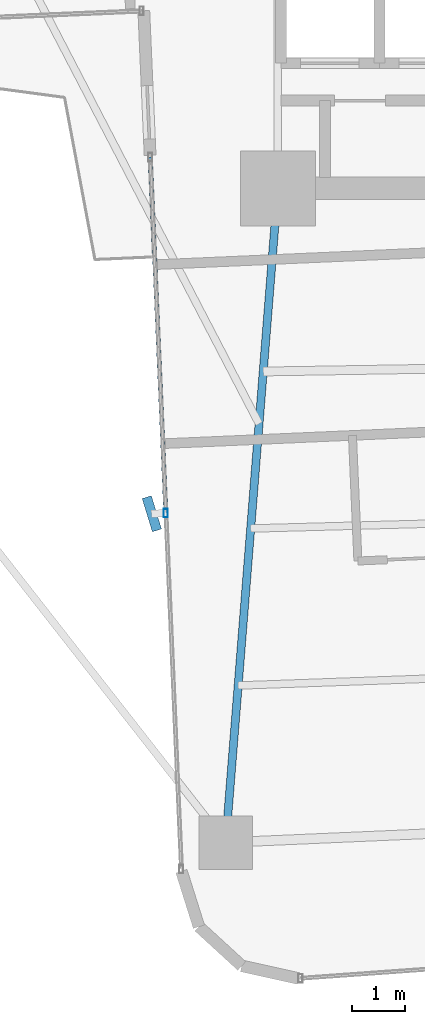
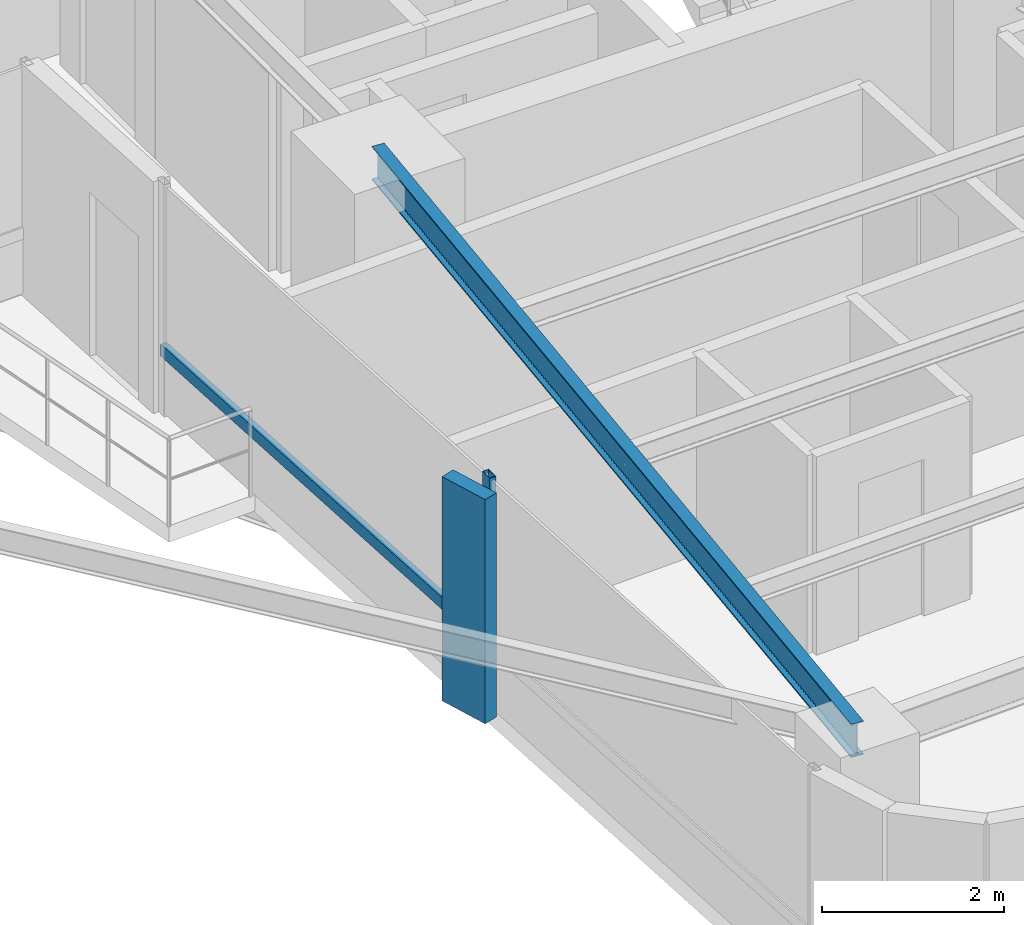
# One storey, part 4 of 26: 3 members, 1 beam, 1 element without a shape of its own.
"""IFC4 building model written with IfcOpenShell, lengths in metres."""

from ifc_helpers import new_model, si_unit, direction, frame, origin, origin_2d, place, context, subcontext, project, spatial, rectangle, hollow_rectangle, i_section, extrude, source, transform, mapped, material, material_profile, profile_set, type_object, element, aggregate, save


model = new_model("IFC4")

# Units and contexts
model_context = context("Model", 3, precision=1e-05, world=origin(), true_north=direction((0.0, 1.0)))
body_context = subcontext(model_context, "Body", "Model", "MODEL_VIEW")
ifc_project = project(units=[si_unit("LENGTHUNIT", "METRE"), si_unit("AREAUNIT", "SQUARE_METRE"), si_unit("VOLUMEUNIT", "CUBIC_METRE"), si_unit("PLANEANGLEUNIT", "RADIAN"), si_unit("MASSUNIT", "GRAM", prefix="KILO")], contexts=[model_context])

# Site, building, storey
site_placement = place(None, origin())
site = spatial("IfcSite", under=ifc_project, at=site_placement, CompositionType="ELEMENT")
building_placement = place(site_placement, origin())
building = spatial("IfcBuilding", under=site, at=building_placement, Name="Sahyath Konkavel Grand Hotel", CompositionType="ELEMENT")
storey_placement = place(building_placement, frame((0.0, 0.0, 124.85009765625)))
storey = spatial("IfcBuildingStorey", under=building, at=storey_placement, Name="L34", CompositionType="ELEMENT", Elevation=124.85009765625)

# Beam
ifc_material_1 = material(Name="Steel E350", Category="steel")
ifc_material_profile_1 = material_profile(ifc_material_1, i_section(OverallWidth=0.14990234375, OverallDepth=0.449951171875, WebThickness=0.009521484375, FlangeThickness=0.017333984375, FilletRadius=0.014892578125, at=origin_2d()), Name="ISMB 450")
ifc_profile_set_1 = profile_set([ifc_material_profile_1], Name="Steel E350")
beam_type = type_object("IfcBeamType", Name="BM-ISMB450", PredefinedType="BEAM", material=ifc_profile_set_1)
shared_shape_1 = source(origin(), body_context, "Body", "SweptSolid", [
    extrude(i_section(OverallWidth=0.14990234375, OverallDepth=0.449951171875, WebThickness=0.009521484375, FlangeThickness=0.017333984375, FilletRadius=0.014892578125, at=origin_2d()), origin(), (0.0, 0.0, 1.0), 12.2685546875),
])
beam_placement = place(storey_placement, frame((-3.800048828125, -10.199951171875, 2.885009765625), z_axis=(-0.079558563357, -0.996830193662, 0.0), x_axis=(0.996830193662, -0.079558563357, 0.0)))
element("IfcBeam", 1, at=beam_placement, inside=storey, type_object=beam_type, Name="L34 Cruciform Radial Girder SA", PredefinedType="BEAM", context=body_context, shape_type="MappedRepresentation", body=[
    mapped(shared_shape_1, transform((0.0, 0.0, 0.0), scale=1.0)),
])

# Curtain wall, members
ifc_material_2 = material(Name="Anodised Bronze Aluminium & Low-E Glazing", Category="aluminium")
curtain_wall_type = type_object("IfcCurtainWallType", Name="CW-ZONE2", PredefinedType="NOTDEFINED", material=ifc_material_2)
curtain_wall_placement = place(storey_placement, origin())
curtain_wall = element("IfcCurtainWall", 2, at=curtain_wall_placement, inside=storey, type_object=curtain_wall_type, Name="L34 Unitised Curtain Wall F24", PredefinedType="NOTDEFINED")
ifc_material_3 = material(Name="Anodised Bronze Aluminium", Category="aluminium")
ifc_material_profile_2 = material_profile(ifc_material_3, hollow_rectangle(XDim=0.080078125, YDim=0.159912109375, WallThickness=0.006103515625, at=origin_2d()), Name="RHS 160x80x6")
ifc_profile_set_2 = profile_set([ifc_material_profile_2], Name="Anodised Bronze Aluminium")
member_type_1 = type_object("IfcMemberType", Name="CW-MUL-160", PredefinedType="MULLION", material=ifc_profile_set_2)
shared_shape_2 = source(origin(), body_context, "Body", "SweptSolid", [
    extrude(hollow_rectangle(XDim=0.080078125, YDim=0.159912109375, WallThickness=0.006103515625, at=origin_2d()), origin(), (0.0, 0.0, 1.0), 3.10986328125),
])
member_1_placement = place(storey_placement, frame((-5.895751953125, -16.272705078125, 0.0), z_axis=(0.0, 0.0, 1.0), x_axis=(1.0, 0.0, 0.0)))
member_1 = element("IfcMember", 3, at=member_1_placement, type_object=member_type_1, Name="L34 Curtain Wall Mullion F24-1", PredefinedType="MULLION", context=body_context, shape_type="MappedRepresentation", body=[
    mapped(shared_shape_2, transform((0.0, 0.0, 0.0), scale=1.0)),
])
ifc_material_4 = material(Name="Warm Buff Sandstone Cladding on Concrete C50/60", Category="masonry")
ifc_material_profile_3 = material_profile(ifc_material_4, rectangle(XDim=0.179931640625, YDim=0.64990234375, at=origin_2d()), Name="FIN 180x650")
ifc_profile_set_3 = profile_set([ifc_material_profile_3], Name="Warm Buff Sandstone Cladding on Concrete C50/60")
member_type_2 = type_object("IfcMemberType", Name="FIN-SANDSTONE-650", PredefinedType="MULLION", material=ifc_profile_set_3)
shared_shape_3 = source(origin(), body_context, "Body", "SweptSolid", [
    extrude(rectangle(XDim=0.179931640625, YDim=0.64990234375, at=origin_2d()), origin(), (0.0, 0.0, 1.0), 3.010009765625),
])
member_2_placement = place(storey_placement, frame((-6.155517578125, -16.283935546875, 0.0498046875), z_axis=(0.0, 0.0, 1.0), x_axis=(0.956151539415, 0.292872384621, 0.0)))
member_2 = element("IfcMember", 4, at=member_2_placement, type_object=member_type_2, Name="L34 Sandstone Vertical Solar Fin FIN F24-1", PredefinedType="MULLION", context=body_context, shape_type="MappedRepresentation", body=[
    mapped(shared_shape_3, transform((0.0, 0.0, 0.0), scale=1.0)),
])
ifc_material_profile_4 = material_profile(ifc_material_3, hollow_rectangle(XDim=0.080078125, YDim=0.159912109375, WallThickness=0.006103515625, at=origin_2d()), Name="RHS 160x80x6")
ifc_profile_set_4 = profile_set([ifc_material_profile_4], Name="Anodised Bronze Aluminium")
member_type_3 = type_object("IfcMemberType", Name="CW-TRN-160", PredefinedType="USERDEFINED", material=ifc_profile_set_4)
shared_shape_4 = source(origin(), body_context, "Body", "SweptSolid", [
    extrude(hollow_rectangle(XDim=0.080078125, YDim=0.159912109375, WallThickness=0.006103515625, at=origin_2d()), origin(), (0.0, 0.0, 1.0), 6.66015625),
])
member_3_placement = place(storey_placement, frame((-6.186279296875, -9.618896484375, 0.849853515625), z_axis=(0.043621753165, -0.999048118286, 0.0), x_axis=(0.999048118286, 0.043621753165, 0.0)))
member_3 = element("IfcMember", 5, at=member_3_placement, type_object=member_type_3, Name="L34 Curtain Wall Transom F24-0-spandrel", ObjectType="TRANSOM", PredefinedType="USERDEFINED", context=body_context, shape_type="MappedRepresentation", body=[
    mapped(shared_shape_4, transform((0.0, 0.0, 0.0), scale=1.0)),
])
aggregate(curtain_wall, [member_1, member_2, member_3])

save(model, "model.ifc")
